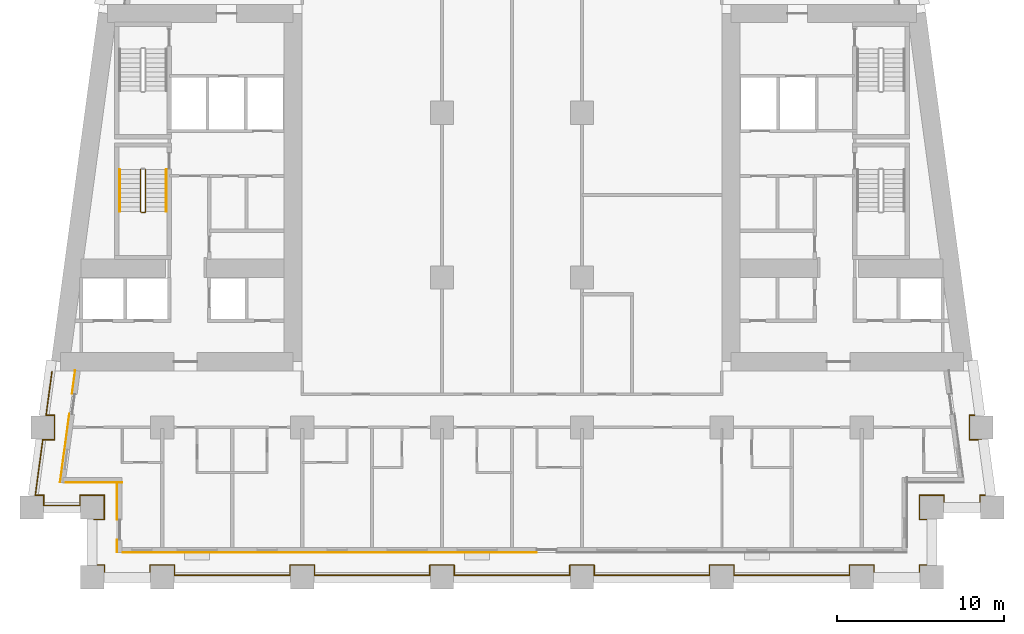
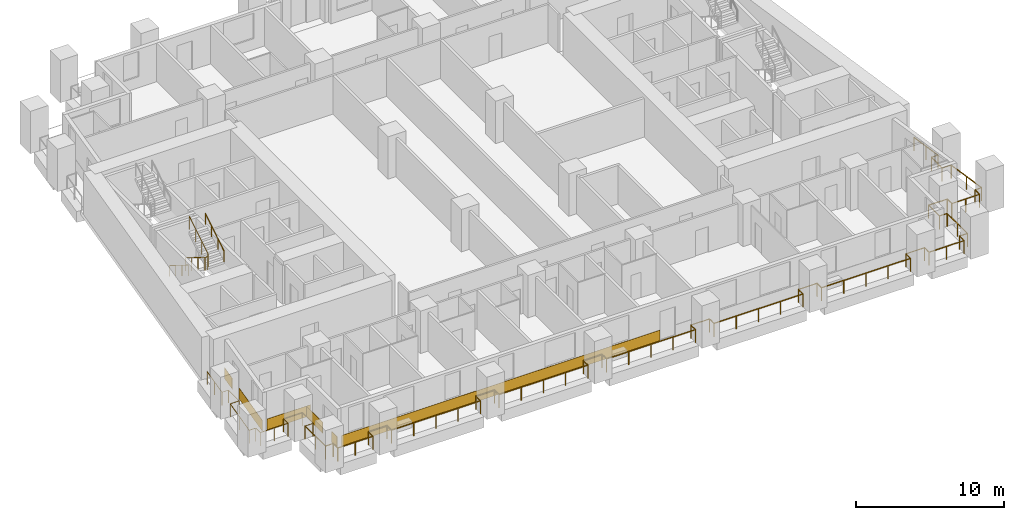
# One storey, part 9 of 13: 6 coverings, 5 railings.
"""IFC4 building model written with IfcOpenShell, lengths in metres."""

from ifc_helpers import new_model, si_unit, direction, frame, origin, origin_2d, place, context, subcontext, project, spatial, rectangle, circle, extrude, material, layer, layer_set, type_object, element, save


model = new_model("IFC4")

# Units and contexts
model_context = context("Model", 3, precision=1e-05, world=origin(), true_north=direction((0.0, 1.0)))
body_context = subcontext(model_context, "Body", "Model", "MODEL_VIEW")
ifc_project = project(units=[si_unit("LENGTHUNIT", "METRE"), si_unit("AREAUNIT", "SQUARE_METRE"), si_unit("VOLUMEUNIT", "CUBIC_METRE"), si_unit("PLANEANGLEUNIT", "RADIAN"), si_unit("MASSUNIT", "GRAM", prefix="KILO")], contexts=[model_context])

# Site, building, storey
site_placement = place(None, origin())
site = spatial("IfcSite", under=ifc_project, at=site_placement, CompositionType="ELEMENT")
building_placement = place(site_placement, origin())
building = spatial("IfcBuilding", under=site, at=building_placement, Name="Candeia Pilgrim Tower and Theatre", CompositionType="ELEMENT")
storey_placement = place(building_placement, frame((0.0, 0.0, 67.0)))
storey = spatial("IfcBuildingStorey", under=building, at=storey_placement, Name="L14", CompositionType="ELEMENT", Elevation=67.0)

# Railings
ifc_material_1 = material(Name="Stainless steel balustrade", Category="steel")
railing_type_1 = type_object("IfcRailingType", Name="G1 loggia guard 1100", PredefinedType="GUARDRAIL", material=ifc_material_1)
railing_1_placement = place(storey_placement, frame((88.320068359375, 101.469970703125, 0.0)))
element("IfcRailing", 1, at=railing_1_placement, inside=storey, type_object=railing_type_1, Name="Guard L14.1", PredefinedType="GUARDRAIL", context=body_context, shape_type="SweptSolid", body=[
    extrude(circle(Radius=0.02392578125, at=origin_2d()), frame((0.0, 0.0, 1.076171875), z_axis=(1.0, 0.0, 0.0), x_axis=(0.0, 1.0, 0.0)), (0.0, 0.0, 1.0), 0.60986328125),
    extrude(circle(Radius=0.02392578125, at=origin_2d()), frame((0.60986328125, 0.0, 1.076171875), z_axis=(0.0, 1.0, 0.0), x_axis=(-1.0, 0.0, 0.0)), (0.0, 0.0, 1.0), 1.4599609375),
    extrude(circle(Radius=0.02392578125, at=origin_2d()), frame((0.60986328125, 1.4599609375, 1.076171875), z_axis=(-1.0, 0.0, 0.0), x_axis=(0.0, -1.0, 0.0)), (0.0, 0.0, 1.0), 1.4599609375),
    extrude(circle(Radius=0.02392578125, at=origin_2d()), frame((-0.85009765625, 1.4599609375, 1.076171875), z_axis=(0.0, -1.0, 0.0), x_axis=(1.0, 0.0, 0.0)), (0.0, 0.0, 1.0), 0.60986328125),
    extrude(circle(Radius=0.02392578125, at=origin_2d()), frame((-0.85009765625, 0.85009765625, 1.076171875), z_axis=(-1.0, 0.0, 0.0), x_axis=(0.0, -1.0, 0.0)), (0.0, 0.0, 1.0), 2.174560546875),
    extrude(circle(Radius=0.02392578125, at=origin_2d()), frame((-3.024658203125, 0.85009765625, 1.076171875), z_axis=(0.0, 1.0, 0.0), x_axis=(-1.0, 0.0, 0.0)), (0.0, 0.0, 1.0), 0.60986328125),
    extrude(circle(Radius=0.02392578125, at=origin_2d()), frame((-3.024658203125, 1.4599609375, 1.076171875), z_axis=(-1.0, 0.0, 0.0), x_axis=(0.0, -1.0, 0.0)), (0.0, 0.0, 1.0), 0.5107421875),
    extrude(circle(Radius=0.02392578125, at=origin_2d()), frame((-3.535400390625, 1.4599609375, 1.076171875), z_axis=(0.133435273035, 0.991057530071, 0.0), x_axis=(-0.991057530071, 0.133435273035, 0.0)), (0.0, 0.0, 1.0), 3.3701171875),
    extrude(circle(Radius=0.02392578125, at=origin_2d()), frame((-3.085693359375, 4.800048828125, 1.076171875), z_axis=(1.0, 0.0, 0.0), x_axis=(0.0, 1.0, 0.0)), (0.0, 0.0, 1.0), 0.707275390625),
    extrude(circle(Radius=0.02392578125, at=origin_2d()), frame((-2.37841796875, 4.800048828125, 1.076171875), z_axis=(0.0, 1.0, 0.0), x_axis=(-1.0, 0.0, 0.0)), (0.0, 0.0, 1.0), 1.4599609375),
    extrude(circle(Radius=0.02392578125, at=origin_2d()), frame((-2.37841796875, 6.260009765625, 1.076171875), z_axis=(-1.0, 0.0, 0.0), x_axis=(0.0, -1.0, 0.0)), (0.0, 0.0, 1.0), 0.5107421875),
    extrude(circle(Radius=0.02392578125, at=origin_2d()), frame((-2.88916015625, 6.260009765625, 1.076171875), z_axis=(0.133439920495, 0.991056904329, 0.0), x_axis=(-0.991056904329, 0.133439920495, 0.0)), (0.0, 0.0, 1.0), 2.643798828125),
    extrude(circle(Radius=0.02099609375, at=origin_2d()), origin(), (0.0, 0.0, 1.0), 1.052001953125),
    extrude(circle(Radius=0.02099609375, at=origin_2d()), frame((0.60986328125, 0.0, 0.0)), (0.0, 0.0, 1.0), 1.052001953125),
    extrude(circle(Radius=0.02099609375, at=origin_2d()), frame((0.60986328125, 1.4599609375, 0.0)), (0.0, 0.0, 1.0), 1.052001953125),
    extrude(circle(Radius=0.02099609375, at=origin_2d()), frame((-0.85009765625, 1.4599609375, 0.0)), (0.0, 0.0, 1.0), 1.052001953125),
    extrude(circle(Radius=0.02099609375, at=origin_2d()), frame((-0.85009765625, 0.85009765625, 0.0)), (0.0, 0.0, 1.0), 1.052001953125),
    extrude(circle(Radius=0.02099609375, at=origin_2d()), frame((-1.9375, 0.85009765625, 0.0)), (0.0, 0.0, 1.0), 1.052001953125),
    extrude(circle(Radius=0.02099609375, at=origin_2d()), frame((-3.024658203125, 0.85009765625, 0.0)), (0.0, 0.0, 1.0), 1.052001953125),
    extrude(circle(Radius=0.02099609375, at=origin_2d()), frame((-3.024658203125, 1.4599609375, 0.0)), (0.0, 0.0, 1.0), 1.052001953125),
    extrude(circle(Radius=0.02099609375, at=origin_2d()), frame((-3.535400390625, 1.4599609375, 0.0)), (0.0, 0.0, 1.0), 1.052001953125),
    extrude(circle(Radius=0.02099609375, at=origin_2d()), frame((-3.310546875, 3.1298828125, 0.0)), (0.0, 0.0, 1.0), 1.052001953125),
    extrude(circle(Radius=0.02099609375, at=origin_2d()), frame((-3.085693359375, 4.800048828125, 0.0)), (0.0, 0.0, 1.0), 1.052001953125),
    extrude(circle(Radius=0.02099609375, at=origin_2d()), frame((-2.37841796875, 4.800048828125, 0.0)), (0.0, 0.0, 1.0), 1.052001953125),
    extrude(circle(Radius=0.02099609375, at=origin_2d()), frame((-2.37841796875, 6.260009765625, 0.0)), (0.0, 0.0, 1.0), 1.052001953125),
    extrude(circle(Radius=0.02099609375, at=origin_2d()), frame((-2.88916015625, 6.260009765625, 0.0)), (0.0, 0.0, 1.0), 1.052001953125),
    extrude(circle(Radius=0.02099609375, at=origin_2d()), frame((-2.712890625, 7.570068359375, 0.0)), (0.0, 0.0, 1.0), 1.052001953125),
    extrude(circle(Radius=0.02099609375, at=origin_2d()), frame((-2.536376953125, 8.880126953125, 0.0)), (0.0, 0.0, 1.0), 1.052001953125),
])
railing_2_placement = place(storey_placement, frame((141.016357421875, 110.35009765625, 0.0)))
element("IfcRailing", 2, at=railing_2_placement, inside=storey, type_object=railing_type_1, Name="Guard L14.4", PredefinedType="GUARDRAIL", context=body_context, shape_type="SweptSolid", body=[
    extrude(circle(Radius=0.02392578125, at=origin_2d()), frame((0.0, 0.0, 1.076171875), z_axis=(0.133439920495, -0.991056904329, 0.0), x_axis=(0.991056904329, 0.133439920495, 0.0)), (0.0, 0.0, 1.0), 2.643798828125),
    extrude(circle(Radius=0.02392578125, at=origin_2d()), frame((0.352783203125, -2.6201171875, 1.076171875), z_axis=(-1.0, 0.0, 0.0), x_axis=(0.0, -1.0, 0.0)), (0.0, 0.0, 1.0), 0.5107421875),
    extrude(circle(Radius=0.02392578125, at=origin_2d()), frame((-0.157958984375, -2.6201171875, 1.076171875), z_axis=(0.0, -1.0, 0.0), x_axis=(1.0, 0.0, 0.0)), (0.0, 0.0, 1.0), 1.4599609375),
    extrude(circle(Radius=0.02392578125, at=origin_2d()), frame((-0.157958984375, -4.080078125, 1.076171875), z_axis=(1.0, 0.0, 0.0), x_axis=(0.0, 1.0, 0.0)), (0.0, 0.0, 1.0), 0.707275390625),
    extrude(circle(Radius=0.02392578125, at=origin_2d()), frame((0.54931640625, -4.080078125, 1.076171875), z_axis=(0.133435273035, -0.991057530071, 0.0), x_axis=(0.991057530071, 0.133435273035, 0.0)), (0.0, 0.0, 1.0), 3.3701171875),
    extrude(circle(Radius=0.02392578125, at=origin_2d()), frame((0.9990234375, -7.420166015625, 1.076171875), z_axis=(-1.0, 0.0, 0.0), x_axis=(0.0, -1.0, 0.0)), (0.0, 0.0, 1.0), 0.5107421875),
    extrude(circle(Radius=0.02392578125, at=origin_2d()), frame((0.48828125, -7.420166015625, 1.076171875), z_axis=(0.0, -1.0, 0.0), x_axis=(1.0, 0.0, 0.0)), (0.0, 0.0, 1.0), 0.60986328125),
    extrude(circle(Radius=0.02392578125, at=origin_2d()), frame((0.48828125, -8.030029296875, 1.076171875), z_axis=(-1.0, 0.0, 0.0), x_axis=(0.0, -1.0, 0.0)), (0.0, 0.0, 1.0), 2.174560546875),
    extrude(circle(Radius=0.02392578125, at=origin_2d()), frame((-1.686279296875, -8.030029296875, 1.076171875), z_axis=(0.0, 1.0, 0.0), x_axis=(-1.0, 0.0, 0.0)), (0.0, 0.0, 1.0), 0.60986328125),
    extrude(circle(Radius=0.02392578125, at=origin_2d()), frame((-1.686279296875, -7.420166015625, 1.076171875), z_axis=(-1.0, 0.0, 0.0), x_axis=(0.0, -1.0, 0.0)), (0.0, 0.0, 1.0), 1.4599609375),
    extrude(circle(Radius=0.02392578125, at=origin_2d()), frame((-3.146240234375, -7.420166015625, 1.076171875), z_axis=(0.0, -1.0, 0.0), x_axis=(1.0, 0.0, 0.0)), (0.0, 0.0, 1.0), 1.4599609375),
    extrude(circle(Radius=0.02392578125, at=origin_2d()), frame((-3.146240234375, -8.880126953125, 1.076171875), z_axis=(1.0, 0.0, 0.0), x_axis=(0.0, 1.0, 0.0)), (0.0, 0.0, 1.0), 0.60986328125),
    extrude(circle(Radius=0.02392578125, at=origin_2d()), frame((-2.536376953125, -8.880126953125, 1.076171875), z_axis=(0.0, -1.0, 0.0), x_axis=(1.0, 0.0, 0.0)), (0.0, 0.0, 1.0), 2.739990234375),
    extrude(circle(Radius=0.02392578125, at=origin_2d()), frame((-2.536376953125, -11.6201171875, 1.076171875), z_axis=(-1.0, 0.0, 0.0), x_axis=(0.0, -1.0, 0.0)), (0.0, 0.0, 1.0), 0.60986328125),
    extrude(circle(Radius=0.02392578125, at=origin_2d()), frame((-3.146240234375, -11.6201171875, 1.076171875), z_axis=(0.0, -1.0, 0.0), x_axis=(1.0, 0.0, 0.0)), (0.0, 0.0, 1.0), 0.60986328125),
    extrude(circle(Radius=0.02392578125, at=origin_2d()), frame((-3.146240234375, -12.22998046875, 1.076171875), z_axis=(-1.0, 0.0, 0.0), x_axis=(0.0, -1.0, 0.0)), (0.0, 0.0, 1.0), 2.740234375),
    extrude(circle(Radius=0.02392578125, at=origin_2d()), frame((-5.886474609375, -12.22998046875, 1.076171875), z_axis=(0.0, 1.0, 0.0), x_axis=(-1.0, 0.0, 0.0)), (0.0, 0.0, 1.0), 0.60986328125),
    extrude(circle(Radius=0.02392578125, at=origin_2d()), frame((-5.886474609375, -11.6201171875, 1.076171875), z_axis=(-1.0, 0.0, 0.0), x_axis=(0.0, -1.0, 0.0)), (0.0, 0.0, 1.0), 1.4599609375),
    extrude(circle(Radius=0.02392578125, at=origin_2d()), frame((-7.346435546875, -11.6201171875, 1.076171875), z_axis=(0.0, -1.0, 0.0), x_axis=(1.0, 0.0, 0.0)), (0.0, 0.0, 1.0), 0.60986328125),
    extrude(circle(Radius=0.02392578125, at=origin_2d()), frame((-7.346435546875, -12.22998046875, 1.076171875), z_axis=(-1.0, 0.0, 0.0), x_axis=(0.0, -1.0, 0.0)), (0.0, 0.0, 1.0), 6.93994140625),
    extrude(circle(Radius=0.02392578125, at=origin_2d()), frame((-14.286376953125, -12.22998046875, 1.076171875), z_axis=(0.0, 1.0, 0.0), x_axis=(-1.0, 0.0, 0.0)), (0.0, 0.0, 1.0), 0.60986328125),
    extrude(circle(Radius=0.02392578125, at=origin_2d()), frame((-14.286376953125, -11.6201171875, 1.076171875), z_axis=(-1.0, 0.0, 0.0), x_axis=(0.0, -1.0, 0.0)), (0.0, 0.0, 1.0), 1.4599609375),
    extrude(circle(Radius=0.02392578125, at=origin_2d()), frame((-15.746337890625, -11.6201171875, 1.076171875), z_axis=(0.0, -1.0, 0.0), x_axis=(1.0, 0.0, 0.0)), (0.0, 0.0, 1.0), 0.60986328125),
    extrude(circle(Radius=0.02392578125, at=origin_2d()), frame((-15.746337890625, -12.22998046875, 1.076171875), z_axis=(-1.0, 0.0, 0.0), x_axis=(0.0, -1.0, 0.0)), (0.0, 0.0, 1.0), 6.93994140625),
    extrude(circle(Radius=0.02392578125, at=origin_2d()), frame((-22.686279296875, -12.22998046875, 1.076171875), z_axis=(0.0, 1.0, 0.0), x_axis=(-1.0, 0.0, 0.0)), (0.0, 0.0, 1.0), 0.60986328125),
    extrude(circle(Radius=0.02392578125, at=origin_2d()), frame((-22.686279296875, -11.6201171875, 1.076171875), z_axis=(-1.0, 0.0, 0.0), x_axis=(0.0, -1.0, 0.0)), (0.0, 0.0, 1.0), 1.4599609375),
    extrude(circle(Radius=0.02392578125, at=origin_2d()), frame((-24.146240234375, -11.6201171875, 1.076171875), z_axis=(0.0, -1.0, 0.0), x_axis=(1.0, 0.0, 0.0)), (0.0, 0.0, 1.0), 0.60986328125),
    extrude(circle(Radius=0.02392578125, at=origin_2d()), frame((-24.146240234375, -12.22998046875, 1.076171875), z_axis=(-1.0, 0.0, 0.0), x_axis=(0.0, -1.0, 0.0)), (0.0, 0.0, 1.0), 6.940185546875),
    extrude(circle(Radius=0.02392578125, at=origin_2d()), frame((-31.08642578125, -12.22998046875, 1.076171875), z_axis=(0.0, 1.0, 0.0), x_axis=(-1.0, 0.0, 0.0)), (0.0, 0.0, 1.0), 0.60986328125),
    extrude(circle(Radius=0.02392578125, at=origin_2d()), frame((-31.08642578125, -11.6201171875, 1.076171875), z_axis=(-1.0, 0.0, 0.0), x_axis=(0.0, -1.0, 0.0)), (0.0, 0.0, 1.0), 1.4599609375),
    extrude(circle(Radius=0.02392578125, at=origin_2d()), frame((-32.54638671875, -11.6201171875, 1.076171875), z_axis=(0.0, -1.0, 0.0), x_axis=(1.0, 0.0, 0.0)), (0.0, 0.0, 1.0), 0.60986328125),
    extrude(circle(Radius=0.02392578125, at=origin_2d()), frame((-32.54638671875, -12.22998046875, 1.076171875), z_axis=(-1.0, 0.0, 0.0), x_axis=(0.0, -1.0, 0.0)), (0.0, 0.0, 1.0), 6.93994140625),
    extrude(circle(Radius=0.02392578125, at=origin_2d()), frame((-39.486328125, -12.22998046875, 1.076171875), z_axis=(0.0, 1.0, 0.0), x_axis=(-1.0, 0.0, 0.0)), (0.0, 0.0, 1.0), 0.60986328125),
    extrude(circle(Radius=0.02392578125, at=origin_2d()), frame((-39.486328125, -11.6201171875, 1.076171875), z_axis=(-1.0, 0.0, 0.0), x_axis=(0.0, -1.0, 0.0)), (0.0, 0.0, 1.0), 1.4599609375),
    extrude(circle(Radius=0.02392578125, at=origin_2d()), frame((-40.9462890625, -11.6201171875, 1.076171875), z_axis=(0.0, -1.0, 0.0), x_axis=(1.0, 0.0, 0.0)), (0.0, 0.0, 1.0), 0.60986328125),
    extrude(circle(Radius=0.02392578125, at=origin_2d()), frame((-40.9462890625, -12.22998046875, 1.076171875), z_axis=(-1.0, 0.0, 0.0), x_axis=(0.0, -1.0, 0.0)), (0.0, 0.0, 1.0), 6.940185546875),
    extrude(circle(Radius=0.02392578125, at=origin_2d()), frame((-47.886474609375, -12.22998046875, 1.076171875), z_axis=(0.0, 1.0, 0.0), x_axis=(-1.0, 0.0, 0.0)), (0.0, 0.0, 1.0), 0.60986328125),
    extrude(circle(Radius=0.02392578125, at=origin_2d()), frame((-47.886474609375, -11.6201171875, 1.076171875), z_axis=(-1.0, 0.0, 0.0), x_axis=(0.0, -1.0, 0.0)), (0.0, 0.0, 1.0), 1.4599609375),
    extrude(circle(Radius=0.02392578125, at=origin_2d()), frame((-49.346435546875, -11.6201171875, 1.076171875), z_axis=(0.0, -1.0, 0.0), x_axis=(1.0, 0.0, 0.0)), (0.0, 0.0, 1.0), 0.60986328125),
    extrude(circle(Radius=0.02392578125, at=origin_2d()), frame((-49.346435546875, -12.22998046875, 1.076171875), z_axis=(-1.0, 0.0, 0.0), x_axis=(0.0, -1.0, 0.0)), (0.0, 0.0, 1.0), 2.739990234375),
    extrude(circle(Radius=0.02392578125, at=origin_2d()), frame((-52.08642578125, -12.22998046875, 1.076171875), z_axis=(0.0, 1.0, 0.0), x_axis=(-1.0, 0.0, 0.0)), (0.0, 0.0, 1.0), 0.60986328125),
    extrude(circle(Radius=0.02392578125, at=origin_2d()), frame((-52.08642578125, -11.6201171875, 1.076171875), z_axis=(-1.0, 0.0, 0.0), x_axis=(0.0, -1.0, 0.0)), (0.0, 0.0, 1.0), 0.60986328125),
    extrude(circle(Radius=0.02392578125, at=origin_2d()), frame((-52.6962890625, -11.6201171875, 1.076171875), z_axis=(0.0, 1.0, 0.0), x_axis=(-1.0, 0.0, 0.0)), (0.0, 0.0, 1.0), 2.739990234375),
    extrude(circle(Radius=0.02099609375, at=origin_2d()), origin(), (0.0, 0.0, 1.0), 1.052001953125),
    extrude(circle(Radius=0.02099609375, at=origin_2d()), frame((0.17626953125, -1.31005859375, 0.0)), (0.0, 0.0, 1.0), 1.052001953125),
    extrude(circle(Radius=0.02099609375, at=origin_2d()), frame((0.352783203125, -2.6201171875, 0.0)), (0.0, 0.0, 1.0), 1.052001953125),
    extrude(circle(Radius=0.02099609375, at=origin_2d()), frame((-0.157958984375, -2.6201171875, 0.0)), (0.0, 0.0, 1.0), 1.052001953125),
    extrude(circle(Radius=0.02099609375, at=origin_2d()), frame((-0.157958984375, -4.080078125, 0.0)), (0.0, 0.0, 1.0), 1.052001953125),
    extrude(circle(Radius=0.02099609375, at=origin_2d()), frame((0.54931640625, -4.080078125, 0.0)), (0.0, 0.0, 1.0), 1.052001953125),
    extrude(circle(Radius=0.02099609375, at=origin_2d()), frame((0.774169921875, -5.75, 0.0)), (0.0, 0.0, 1.0), 1.052001953125),
    extrude(circle(Radius=0.02099609375, at=origin_2d()), frame((0.9990234375, -7.420166015625, 0.0)), (0.0, 0.0, 1.0), 1.052001953125),
    extrude(circle(Radius=0.02099609375, at=origin_2d()), frame((0.48828125, -7.420166015625, 0.0)), (0.0, 0.0, 1.0), 1.052001953125),
    extrude(circle(Radius=0.02099609375, at=origin_2d()), frame((0.48828125, -8.030029296875, 0.0)), (0.0, 0.0, 1.0), 1.052001953125),
    extrude(circle(Radius=0.02099609375, at=origin_2d()), frame((-0.59912109375, -8.030029296875, 0.0)), (0.0, 0.0, 1.0), 1.052001953125),
    extrude(circle(Radius=0.02099609375, at=origin_2d()), frame((-1.686279296875, -8.030029296875, 0.0)), (0.0, 0.0, 1.0), 1.052001953125),
    extrude(circle(Radius=0.02099609375, at=origin_2d()), frame((-1.686279296875, -7.420166015625, 0.0)), (0.0, 0.0, 1.0), 1.052001953125),
    extrude(circle(Radius=0.02099609375, at=origin_2d()), frame((-3.146240234375, -7.420166015625, 0.0)), (0.0, 0.0, 1.0), 1.052001953125),
    extrude(circle(Radius=0.02099609375, at=origin_2d()), frame((-3.146240234375, -8.880126953125, 0.0)), (0.0, 0.0, 1.0), 1.052001953125),
    extrude(circle(Radius=0.02099609375, at=origin_2d()), frame((-2.536376953125, -8.880126953125, 0.0)), (0.0, 0.0, 1.0), 1.052001953125),
    extrude(circle(Radius=0.02099609375, at=origin_2d()), frame((-2.536376953125, -10.25, 0.0)), (0.0, 0.0, 1.0), 1.052001953125),
    extrude(circle(Radius=0.02099609375, at=origin_2d()), frame((-2.536376953125, -11.6201171875, 0.0)), (0.0, 0.0, 1.0), 1.052001953125),
    extrude(circle(Radius=0.02099609375, at=origin_2d()), frame((-3.146240234375, -11.6201171875, 0.0)), (0.0, 0.0, 1.0), 1.052001953125),
    extrude(circle(Radius=0.02099609375, at=origin_2d()), frame((-3.146240234375, -12.22998046875, 0.0)), (0.0, 0.0, 1.0), 1.052001953125),
    extrude(circle(Radius=0.02099609375, at=origin_2d()), frame((-4.516357421875, -12.22998046875, 0.0)), (0.0, 0.0, 1.0), 1.052001953125),
    extrude(circle(Radius=0.02099609375, at=origin_2d()), frame((-5.886474609375, -12.22998046875, 0.0)), (0.0, 0.0, 1.0), 1.052001953125),
    extrude(circle(Radius=0.02099609375, at=origin_2d()), frame((-5.886474609375, -11.6201171875, 0.0)), (0.0, 0.0, 1.0), 1.052001953125),
    extrude(circle(Radius=0.02099609375, at=origin_2d()), frame((-7.346435546875, -11.6201171875, 0.0)), (0.0, 0.0, 1.0), 1.052001953125),
    extrude(circle(Radius=0.02099609375, at=origin_2d()), frame((-7.346435546875, -12.22998046875, 0.0)), (0.0, 0.0, 1.0), 1.052001953125),
    extrude(circle(Radius=0.02099609375, at=origin_2d()), frame((-9.08154296875, -12.22998046875, 0.0)), (0.0, 0.0, 1.0), 1.052001953125),
    extrude(circle(Radius=0.02099609375, at=origin_2d()), frame((-10.81640625, -12.22998046875, 0.0)), (0.0, 0.0, 1.0), 1.052001953125),
    extrude(circle(Radius=0.02099609375, at=origin_2d()), frame((-12.55126953125, -12.22998046875, 0.0)), (0.0, 0.0, 1.0), 1.052001953125),
    extrude(circle(Radius=0.02099609375, at=origin_2d()), frame((-14.286376953125, -12.22998046875, 0.0)), (0.0, 0.0, 1.0), 1.052001953125),
    extrude(circle(Radius=0.02099609375, at=origin_2d()), frame((-14.286376953125, -11.6201171875, 0.0)), (0.0, 0.0, 1.0), 1.052001953125),
    extrude(circle(Radius=0.02099609375, at=origin_2d()), frame((-15.746337890625, -11.6201171875, 0.0)), (0.0, 0.0, 1.0), 1.052001953125),
    extrude(circle(Radius=0.02099609375, at=origin_2d()), frame((-15.746337890625, -12.22998046875, 0.0)), (0.0, 0.0, 1.0), 1.052001953125),
    extrude(circle(Radius=0.02099609375, at=origin_2d()), frame((-17.4814453125, -12.22998046875, 0.0)), (0.0, 0.0, 1.0), 1.052001953125),
    extrude(circle(Radius=0.02099609375, at=origin_2d()), frame((-19.21630859375, -12.22998046875, 0.0)), (0.0, 0.0, 1.0), 1.052001953125),
    extrude(circle(Radius=0.02099609375, at=origin_2d()), frame((-20.951171875, -12.22998046875, 0.0)), (0.0, 0.0, 1.0), 1.052001953125),
    extrude(circle(Radius=0.02099609375, at=origin_2d()), frame((-22.686279296875, -12.22998046875, 0.0)), (0.0, 0.0, 1.0), 1.052001953125),
    extrude(circle(Radius=0.02099609375, at=origin_2d()), frame((-22.686279296875, -11.6201171875, 0.0)), (0.0, 0.0, 1.0), 1.052001953125),
    extrude(circle(Radius=0.02099609375, at=origin_2d()), frame((-24.146240234375, -11.6201171875, 0.0)), (0.0, 0.0, 1.0), 1.052001953125),
    extrude(circle(Radius=0.02099609375, at=origin_2d()), frame((-24.146240234375, -12.22998046875, 0.0)), (0.0, 0.0, 1.0), 1.052001953125),
    extrude(circle(Radius=0.02099609375, at=origin_2d()), frame((-25.88134765625, -12.22998046875, 0.0)), (0.0, 0.0, 1.0), 1.052001953125),
    extrude(circle(Radius=0.02099609375, at=origin_2d()), frame((-27.6162109375, -12.22998046875, 0.0)), (0.0, 0.0, 1.0), 1.052001953125),
    extrude(circle(Radius=0.02099609375, at=origin_2d()), frame((-29.351318359375, -12.22998046875, 0.0)), (0.0, 0.0, 1.0), 1.052001953125),
    extrude(circle(Radius=0.02099609375, at=origin_2d()), frame((-31.08642578125, -12.22998046875, 0.0)), (0.0, 0.0, 1.0), 1.052001953125),
    extrude(circle(Radius=0.02099609375, at=origin_2d()), frame((-31.08642578125, -11.6201171875, 0.0)), (0.0, 0.0, 1.0), 1.052001953125),
    extrude(circle(Radius=0.02099609375, at=origin_2d()), frame((-32.54638671875, -11.6201171875, 0.0)), (0.0, 0.0, 1.0), 1.052001953125),
    extrude(circle(Radius=0.02099609375, at=origin_2d()), frame((-32.54638671875, -12.22998046875, 0.0)), (0.0, 0.0, 1.0), 1.052001953125),
    extrude(circle(Radius=0.02099609375, at=origin_2d()), frame((-34.28125, -12.22998046875, 0.0)), (0.0, 0.0, 1.0), 1.052001953125),
    extrude(circle(Radius=0.02099609375, at=origin_2d()), frame((-36.016357421875, -12.22998046875, 0.0)), (0.0, 0.0, 1.0), 1.052001953125),
    extrude(circle(Radius=0.02099609375, at=origin_2d()), frame((-37.75146484375, -12.22998046875, 0.0)), (0.0, 0.0, 1.0), 1.052001953125),
    extrude(circle(Radius=0.02099609375, at=origin_2d()), frame((-39.486328125, -12.22998046875, 0.0)), (0.0, 0.0, 1.0), 1.052001953125),
    extrude(circle(Radius=0.02099609375, at=origin_2d()), frame((-39.486328125, -11.6201171875, 0.0)), (0.0, 0.0, 1.0), 1.052001953125),
    extrude(circle(Radius=0.02099609375, at=origin_2d()), frame((-40.9462890625, -11.6201171875, 0.0)), (0.0, 0.0, 1.0), 1.052001953125),
    extrude(circle(Radius=0.02099609375, at=origin_2d()), frame((-40.9462890625, -12.22998046875, 0.0)), (0.0, 0.0, 1.0), 1.052001953125),
    extrude(circle(Radius=0.02099609375, at=origin_2d()), frame((-42.681396484375, -12.22998046875, 0.0)), (0.0, 0.0, 1.0), 1.052001953125),
    extrude(circle(Radius=0.02099609375, at=origin_2d()), frame((-44.41650390625, -12.22998046875, 0.0)), (0.0, 0.0, 1.0), 1.052001953125),
    extrude(circle(Radius=0.02099609375, at=origin_2d()), frame((-46.1513671875, -12.22998046875, 0.0)), (0.0, 0.0, 1.0), 1.052001953125),
    extrude(circle(Radius=0.02099609375, at=origin_2d()), frame((-47.886474609375, -12.22998046875, 0.0)), (0.0, 0.0, 1.0), 1.052001953125),
    extrude(circle(Radius=0.02099609375, at=origin_2d()), frame((-47.886474609375, -11.6201171875, 0.0)), (0.0, 0.0, 1.0), 1.052001953125),
    extrude(circle(Radius=0.02099609375, at=origin_2d()), frame((-49.346435546875, -11.6201171875, 0.0)), (0.0, 0.0, 1.0), 1.052001953125),
    extrude(circle(Radius=0.02099609375, at=origin_2d()), frame((-49.346435546875, -12.22998046875, 0.0)), (0.0, 0.0, 1.0), 1.052001953125),
    extrude(circle(Radius=0.02099609375, at=origin_2d()), frame((-50.71630859375, -12.22998046875, 0.0)), (0.0, 0.0, 1.0), 1.052001953125),
    extrude(circle(Radius=0.02099609375, at=origin_2d()), frame((-52.08642578125, -12.22998046875, 0.0)), (0.0, 0.0, 1.0), 1.052001953125),
    extrude(circle(Radius=0.02099609375, at=origin_2d()), frame((-52.08642578125, -11.6201171875, 0.0)), (0.0, 0.0, 1.0), 1.052001953125),
    extrude(circle(Radius=0.02099609375, at=origin_2d()), frame((-52.6962890625, -11.6201171875, 0.0)), (0.0, 0.0, 1.0), 1.052001953125),
    extrude(circle(Radius=0.02099609375, at=origin_2d()), frame((-52.6962890625, -10.25, 0.0)), (0.0, 0.0, 1.0), 1.052001953125),
    extrude(circle(Radius=0.02099609375, at=origin_2d()), frame((-52.6962890625, -8.880126953125, 0.0)), (0.0, 0.0, 1.0), 1.052001953125),
])

# Coverings
ifc_material_2 = material(Name="Glazed ceramic tile deep red")
ifc_layer = layer(ifc_material_2, 0.02001953125)
ifc_layer_set = layer_set([ifc_layer], Name="Glazed ceramic tile deep red")
covering_type = type_object("IfcCoveringType", Name="Glazed ceramic tile deep red", PredefinedType="CLADDING", material=ifc_layer_set)
covering_1_placement = place(storey_placement, frame((102.4599609375, 99.489990234375, 0.0), z_axis=(0.0, 0.0, 1.0), x_axis=(1.0, 0.0, 0.0)))
element("IfcCovering", 3, at=covering_1_placement, inside=storey, type_object=covering_type, Name="Tile cladding deep red L14", PredefinedType="CLADDING", context=body_context, shape_type="SweptSolid", body=[
    extrude(rectangle(XDim=24.8798828125, YDim=0.02001953125, at=origin_2d()), origin(), (0.0, 0.0, 1.0), 0.89990234375),
])
covering_2_placement = place(storey_placement, frame((87.0810546875, 109.71875, 0.0), z_axis=(0.0, 0.0, 1.0), x_axis=(-0.133412012145, -0.991060661622, 0.0)))
element("IfcCovering", 4, at=covering_2_placement, inside=storey, type_object=covering_type, Name="Tile cladding deep red L14", PredefinedType="CLADDING", context=body_context, shape_type="SweptSolid", body=[
    extrude(rectangle(XDim=1.41796875, YDim=0.02001953125, at=origin_2d()), origin(), (0.0, 0.0, 1.0), 0.89990234375),
])
covering_3_placement = place(storey_placement, frame((86.548583984375, 105.763916015625, 0.0), z_axis=(0.0, 0.0, 1.0), x_axis=(-0.133412012145, -0.991060661622, 0.0)))
element("IfcCovering", 5, at=covering_3_placement, inside=storey, type_object=covering_type, Name="Tile cladding deep red L14", PredefinedType="CLADDING", context=body_context, shape_type="SweptSolid", body=[
    extrude(rectangle(XDim=4.16259765625, YDim=0.02001953125, at=origin_2d()), origin(), (0.0, 0.0, 1.0), 0.89990234375),
])
covering_4_placement = place(storey_placement, frame((88.311279296875, 103.68994140625, 0.0), z_axis=(0.0, 0.0, 1.0), x_axis=(1.0, 0.0, 0.0)))
element("IfcCovering", 6, at=covering_4_placement, inside=storey, type_object=covering_type, Name="Tile cladding deep red L14", PredefinedType="CLADDING", context=body_context, shape_type="SweptSolid", body=[
    extrude(rectangle(XDim=3.377685546875, YDim=0.02001953125, at=origin_2d()), origin(), (0.0, 0.0, 1.0), 0.89990234375),
])
covering_5_placement = place(storey_placement, frame((89.68994140625, 102.56494140625, 0.0), z_axis=(0.0, 0.0, 1.0), x_axis=(0.0, -1.0, 0.0)))
element("IfcCovering", 7, at=covering_5_placement, inside=storey, type_object=covering_type, Name="Tile cladding deep red L14", PredefinedType="CLADDING", context=body_context, shape_type="SweptSolid", body=[
    extrude(rectangle(XDim=2.22998046875, YDim=0.02001953125, at=origin_2d()), origin(), (0.0, 0.0, 1.0), 0.89990234375),
])
covering_6_placement = place(storey_placement, frame((89.68994140625, 99.875, 0.0), z_axis=(0.0, 0.0, 1.0), x_axis=(0.0, -1.0, 0.0)))
element("IfcCovering", 8, at=covering_6_placement, inside=storey, type_object=covering_type, Name="Tile cladding deep red L14", PredefinedType="CLADDING", context=body_context, shape_type="SweptSolid", body=[
    extrude(rectangle(XDim=0.75, YDim=0.02001953125, at=origin_2d()), origin(), (0.0, 0.0, 1.0), 0.89990234375),
])

# Railings
railing_type_2 = type_object("IfcRailingType", Name="RL-GUARD-1100", PredefinedType="GUARDRAIL", material=ifc_material_1)
railing_3_placement = place(storey_placement, frame((91.10205078125, 122.47509765625, 0.175048828125)))
element("IfcRailing", 9, at=railing_3_placement, inside=storey, type_object=railing_type_2, Name="L14 ST1 stair guard 1", PredefinedType="GUARDRAIL", context=body_context, shape_type="SweptSolid", body=[
    extrude(circle(Radius=0.02392578125, at=origin_2d()), frame((0.0, 0.0, 1.076171875), z_axis=(0.0, -0.848007534815, 0.529984170421), x_axis=(1.0, 0.0, 0.0)), (0.0, 0.0, 1.0), 2.9716796875),
    extrude(circle(Radius=0.02392578125, at=origin_2d()), frame((0.0, -2.52001953125, 2.65087890625), z_axis=(0.707106781187, -0.707106781187, 0.0), x_axis=(0.707106781187, 0.707106781187, 0.0)), (0.0, 0.0, 1.0), 0.07080078125),
    extrude(circle(Radius=0.02392578125, at=origin_2d()), frame((0.050048828125, -2.570068359375, 2.65087890625), z_axis=(1.0, 0.0, 0.0), x_axis=(0.0, 1.0, 0.0)), (0.0, 0.0, 1.0), 0.199951171875),
    extrude(circle(Radius=0.02392578125, at=origin_2d()), frame((0.25, -2.570068359375, 2.65087890625), z_axis=(0.265065253269, 0.265065253269, 0.927081885822), x_axis=(-0.707106781187, 0.707106781187, 0.0)), (0.0, 0.0, 1.0), 0.188720703125),
    extrude(circle(Radius=0.02392578125, at=origin_2d()), frame((0.300048828125, -2.52001953125, 2.826171875), z_axis=(0.0, 0.848007534815, 0.529984170421), x_axis=(-1.0, 0.0, 0.0)), (0.0, 0.0, 1.0), 2.9716796875),
    extrude(circle(Radius=0.02099609375, at=origin_2d()), origin(), (0.0, 0.0, 1.0), 1.052001953125),
    extrude(circle(Radius=0.02099609375, at=origin_2d()), frame((0.0, -0.840087890625, 0.52490234375)), (0.0, 0.0, 1.0), 1.052001953125),
    extrude(circle(Radius=0.02099609375, at=origin_2d()), frame((0.0, -1.679931640625, 1.050048828125)), (0.0, 0.0, 1.0), 1.052001953125),
    extrude(circle(Radius=0.02099609375, at=origin_2d()), frame((0.0, -2.52001953125, 1.574951171875)), (0.0, 0.0, 1.0), 1.052001953125),
    extrude(circle(Radius=0.02099609375, at=origin_2d()), frame((0.050048828125, -2.570068359375, 1.574951171875)), (0.0, 0.0, 1.0), 1.052001953125),
    extrude(circle(Radius=0.02099609375, at=origin_2d()), frame((0.25, -2.570068359375, 1.574951171875)), (0.0, 0.0, 1.0), 1.052001953125),
    extrude(circle(Radius=0.02099609375, at=origin_2d()), frame((0.300048828125, -2.52001953125, 1.75)), (0.0, 0.0, 1.0), 1.052001953125),
    extrude(circle(Radius=0.02099609375, at=origin_2d()), frame((0.300048828125, -1.679931640625, 2.27490234375)), (0.0, 0.0, 1.0), 1.052001953125),
    extrude(circle(Radius=0.02099609375, at=origin_2d()), frame((0.300048828125, -0.840087890625, 2.800048828125)), (0.0, 0.0, 1.0), 1.052001953125),
    extrude(circle(Radius=0.02099609375, at=origin_2d()), frame((0.300048828125, 0.0, 3.324951171875)), (0.0, 0.0, 1.0), 1.052001953125),
])
ifc_material_3 = material(Name="Stainless steel handrail", Category="steel")
railing_type_3 = type_object("IfcRailingType", Name="RL-HANDRAIL-900", PredefinedType="HANDRAIL", material=ifc_material_3)
railing_4_placement = place(storey_placement, frame((89.85205078125, 122.47509765625, 0.175048828125)))
element("IfcRailing", 10, at=railing_4_placement, inside=storey, type_object=railing_type_3, Name="L14 ST1 stair handrail 1", PredefinedType="HANDRAIL", context=body_context, shape_type="SweptSolid", body=[
    extrude(circle(Radius=0.02392578125, at=origin_2d()), frame((0.0, 0.0, 0.8759765625), z_axis=(0.0, -0.848007534815, 0.529984170421), x_axis=(1.0, 0.0, 0.0)), (0.0, 0.0, 1.0), 2.9716796875),
    extrude(circle(Radius=0.02099609375, at=origin_2d()), origin(), (0.0, 0.0, 1.0), 0.851806640625),
    extrude(circle(Radius=0.02099609375, at=origin_2d()), frame((0.0, -0.840087890625, 0.52490234375)), (0.0, 0.0, 1.0), 0.851806640625),
    extrude(circle(Radius=0.02099609375, at=origin_2d()), frame((0.0, -1.679931640625, 1.050048828125)), (0.0, 0.0, 1.0), 0.851806640625),
    extrude(circle(Radius=0.02099609375, at=origin_2d()), frame((0.0, -2.52001953125, 1.574951171875)), (0.0, 0.0, 1.0), 0.851806640625),
])
railing_5_placement = place(storey_placement, frame((92.652099609375, 119.955078125, 1.925048828125)))
element("IfcRailing", 11, at=railing_5_placement, inside=storey, type_object=railing_type_3, Name="L14 ST1 stair handrail 2", PredefinedType="HANDRAIL", context=body_context, shape_type="SweptSolid", body=[
    extrude(circle(Radius=0.02392578125, at=origin_2d()), frame((0.0, 0.0, 0.8759765625), z_axis=(0.0, 0.848007534815, 0.529984170421), x_axis=(-1.0, 0.0, 0.0)), (0.0, 0.0, 1.0), 2.9716796875),
    extrude(circle(Radius=0.02099609375, at=origin_2d()), origin(), (0.0, 0.0, 1.0), 0.851806640625),
    extrude(circle(Radius=0.02099609375, at=origin_2d()), frame((0.0, 0.840087890625, 0.52490234375)), (0.0, 0.0, 1.0), 0.851806640625),
    extrude(circle(Radius=0.02099609375, at=origin_2d()), frame((0.0, 1.679931640625, 1.050048828125)), (0.0, 0.0, 1.0), 0.851806640625),
    extrude(circle(Radius=0.02099609375, at=origin_2d()), frame((0.0, 2.52001953125, 1.574951171875)), (0.0, 0.0, 1.0), 0.851806640625),
])

save(model, "model.ifc")
